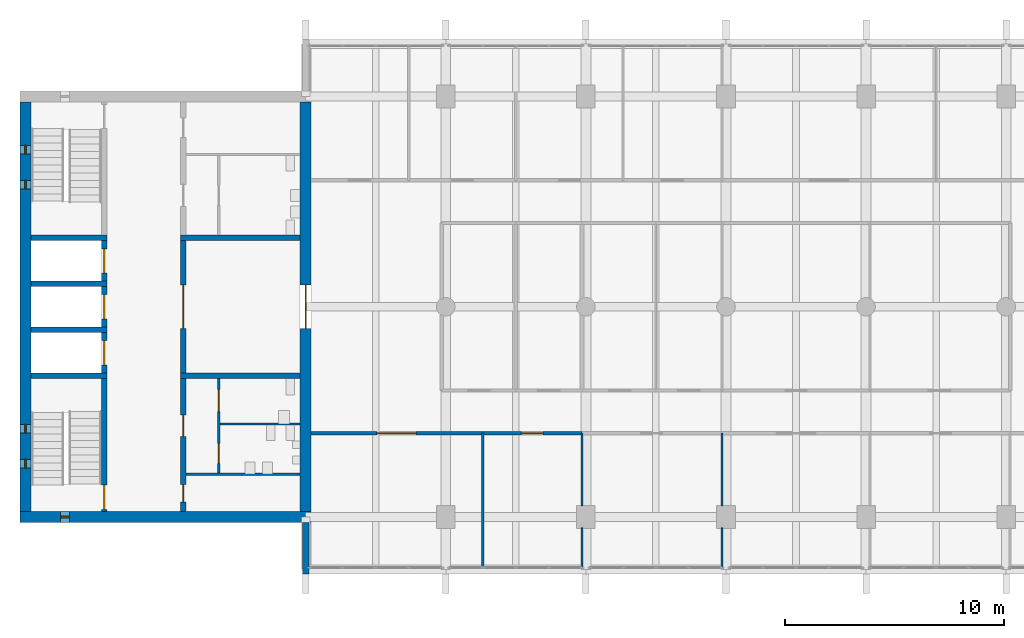
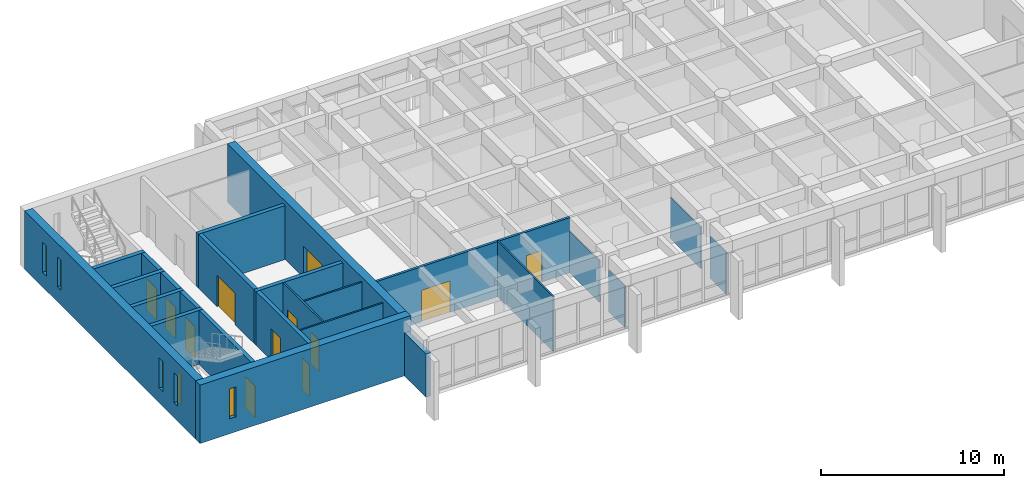
# One storey, part 9 of 15: 26 walls, 12 doors, 5 windows, 17 openings.
"""IFC4 building model written with IfcOpenShell, lengths in metres."""

from ifc_helpers import new_model, si_unit, direction, frame, frame_2d, origin, place, context, subcontext, project, spatial, rectangle, extrude, material, layer, layer_set, type_object, element, fill, save


model = new_model("IFC4")

# Units and contexts
model_context = context("Model", 3, precision=1e-05, world=origin(), true_north=direction((0.0, 1.0)))
body_context = subcontext(model_context, "Body", "Model", "MODEL_VIEW")
ifc_project = project(units=[si_unit("LENGTHUNIT", "METRE"), si_unit("AREAUNIT", "SQUARE_METRE"), si_unit("VOLUMEUNIT", "CUBIC_METRE"), si_unit("PLANEANGLEUNIT", "RADIAN"), si_unit("MASSUNIT", "GRAM", prefix="KILO")], contexts=[model_context])

# Site, building, storey
site_placement = place(None, origin())
site = spatial("IfcSite", under=ifc_project, at=site_placement, CompositionType="ELEMENT")
building_placement = place(site_placement, origin())
building = spatial("IfcBuilding", under=site, at=building_placement, Name="Fogon Plaza Fire Station and Headquarters Tower", CompositionType="ELEMENT")
storey_placement = place(building_placement, frame((0.0, 0.0, 52.199951171875)))
storey = spatial("IfcBuildingStorey", under=building, at=storey_placement, Name="L13", CompositionType="ELEMENT", Elevation=52.199951171875)

# Walls
ifc_material_1 = material(Name="Concrete C40", Category="concrete")
ifc_layer_1 = layer(ifc_material_1, 0.25)
ifc_layer_set_1 = layer_set([ifc_layer_1], Name="Concrete C40")
wall_type_1 = type_object("IfcWallType", Name="Core Wall RC 250", PredefinedType="SOLIDWALL", material=ifc_layer_set_1)
for number, where, z_axis, x_axis, name in (
    (1, (13.050048828125, 40.050048828125, 0.0), (0.0, 0.0, 1.0), (1.0, 0.0, 0.0), "Core A shaft wall"),
    (2, (13.050048828125, 42.14990234375, 0.0), (0.0, 0.0, 1.0), (1.0, 0.0, 0.0), "Core A shaft wall"),
    (3, (13.050048828125, 44.25, 0.0), (0.0, 0.0, 1.0), (1.0, 0.0, 0.0), "Core A shaft wall"),
    (4, (13.050048828125, 46.35009765625, 0.0), (0.0, 0.0, 1.0), (1.0, 0.0, 0.0), "Core A shaft wall"),
):
    element("IfcWall", number, at=place(storey_placement, frame(where, z_axis=z_axis, x_axis=x_axis)), inside=storey, type_object=wall_type_1, Name=name, PredefinedType="SOLIDWALL", context=body_context, shape_type="SweptSolid", body=[
        extrude(rectangle(XDim=3.474853515625, YDim=0.25, at=frame_2d((1.7373046875, 0.0))), origin(), (0.0, 0.0, 1.0), 3.60009765625),
    ])

# Wall, opening, door
wall_1_placement = place(storey_placement, frame((16.39990234375, 33.85009765625, 0.0), z_axis=(0.0, 0.0, 1.0), x_axis=(0.0, 1.0, 0.0)))
wall_1 = element("IfcWall", 5, at=wall_1_placement, inside=storey, type_object=wall_type_1, Name="Core A shaft wall", PredefinedType="SOLIDWALL", context=body_context, shape_type="SweptSolid", body=[
    extrude(rectangle(XDim=6.074951171875, YDim=0.25, at=frame_2d((3.03759765625, 0.0))), origin(), (0.0, 0.0, 1.0), 3.60009765625),
])
opening_1_placement = place(wall_1_placement, frame((0.10009765625, 0.0, 0.0)))
opening_1 = element("IfcOpeningElement", 6, at=opening_1_placement, cuts=wall_1, Name="Opening L13-D01", PredefinedType="OPENING", context=body_context, shape_type="SweptSolid", body=[
    extrude(rectangle(XDim=1.10009765625, YDim=2.10009765625, at=frame_2d((0.550048828125, 1.050048828125))), frame((0.0, 0.135009765625, 0.0), z_axis=(0.0, -1.0, 0.0), x_axis=(1.0, 0.0, 0.0)), (0.0, 0.0, 1.0), 0.27001953125),
])
ifc_material_2 = material(Name="Steel Fire Door Leaf", Category="steel")
door_type_1 = type_object("IfcDoorType", Name="Stair Door Single 1100x2100", OperationType="SINGLE_SWING_LEFT", PredefinedType="DOOR", material=ifc_material_2)
door_1_placement = place(opening_1_placement, origin())
door_1 = element("IfcDoor", 7, at=door_1_placement, inside=storey, type_object=door_type_1, Name="Stair door ST1", OperationType="SINGLE_SWING_LEFT", OverallHeight=2.10009765625, OverallWidth=1.10009765625, PredefinedType="DOOR", context=body_context, shape_type="SweptSolid", body=[
    extrude(rectangle(XDim=1.10009765625, YDim=2.10009765625, at=frame_2d((0.550048828125, 1.050048828125))), frame((0.0, 0.02490234375, 0.0), z_axis=(0.0, -1.0, 0.0), x_axis=(1.0, 0.0, 0.0)), (0.0, 0.0, 1.0), 0.050048828125),
])
fill(opening_1, door_1)

wall_2_placement = place(storey_placement, frame((16.39990234375, 40.175048828125, 0.0), z_axis=(0.0, 0.0, 1.0), x_axis=(0.0, 1.0, 0.0)))
wall_2 = element("IfcWall", 8, at=wall_2_placement, inside=storey, type_object=wall_type_1, Name="Core A shaft wall", PredefinedType="SOLIDWALL", context=body_context, shape_type="SweptSolid", body=[
    extrude(rectangle(XDim=1.849853515625, YDim=0.25, at=frame_2d((0.9248046875, 0.0))), origin(), (0.0, 0.0, 1.0), 3.60009765625),
])
opening_2_placement = place(wall_2_placement, frame((0.375, 0.0, 0.0)))
opening_2 = element("IfcOpeningElement", 9, at=opening_2_placement, cuts=wall_2, Name="Opening L13-D03", PredefinedType="OPENING", context=body_context, shape_type="SweptSolid", body=[
    extrude(rectangle(XDim=1.10009765625, YDim=2.10009765625, at=frame_2d((0.550048828125, 1.050048828125))), frame((0.0, 0.135009765625, 0.0), z_axis=(0.0, -1.0, 0.0), x_axis=(1.0, 0.0, 0.0)), (0.0, 0.0, 1.0), 0.27001953125),
])
ifc_material_3 = material(Name="Stainless Steel", Category="steel")
door_type_2 = type_object("IfcDoorType", Name="Lift Landing Door 1100x2100", OperationType="SLIDING_TO_LEFT", PredefinedType="DOOR", material=ifc_material_3)
door_2_placement = place(opening_2_placement, origin())
door_2 = element("IfcDoor", 10, at=door_2_placement, inside=storey, type_object=door_type_2, Name="Lift LP1 landing door", OperationType="SLIDING_TO_LEFT", OverallHeight=2.10009765625, OverallWidth=1.10009765625, PredefinedType="DOOR", context=body_context, shape_type="SweptSolid", body=[
    extrude(rectangle(XDim=1.10009765625, YDim=2.10009765625, at=frame_2d((0.550048828125, 1.050048828125))), frame((0.0, 0.02490234375, 0.0), z_axis=(0.0, -1.0, 0.0), x_axis=(1.0, 0.0, 0.0)), (0.0, 0.0, 1.0), 0.050048828125),
])
fill(opening_2, door_2)

wall_3_placement = place(storey_placement, frame((16.39990234375, 42.27490234375, 0.0), z_axis=(0.0, 0.0, 1.0), x_axis=(0.0, 1.0, 0.0)))
wall_3 = element("IfcWall", 11, at=wall_3_placement, inside=storey, type_object=wall_type_1, Name="Core A shaft wall", PredefinedType="SOLIDWALL", context=body_context, shape_type="SweptSolid", body=[
    extrude(rectangle(XDim=1.85009765625, YDim=0.25, at=frame_2d((0.925048828125, 0.0))), origin(), (0.0, 0.0, 1.0), 3.60009765625),
])
opening_3_placement = place(wall_3_placement, frame((0.375, 0.0, 0.0)))
opening_3 = element("IfcOpeningElement", 12, at=opening_3_placement, cuts=wall_3, Name="Opening L13-D04", PredefinedType="OPENING", context=body_context, shape_type="SweptSolid", body=[
    extrude(rectangle(XDim=1.10009765625, YDim=2.10009765625, at=frame_2d((0.550048828125, 1.050048828125))), frame((0.0, 0.135009765625, 0.0), z_axis=(0.0, -1.0, 0.0), x_axis=(1.0, 0.0, 0.0)), (0.0, 0.0, 1.0), 0.27001953125),
])
door_3_placement = place(opening_3_placement, origin())
door_3 = element("IfcDoor", 13, at=door_3_placement, inside=storey, type_object=door_type_2, Name="Lift LP2 landing door", OperationType="SLIDING_TO_LEFT", OverallHeight=2.10009765625, OverallWidth=1.10009765625, PredefinedType="DOOR", context=body_context, shape_type="SweptSolid", body=[
    extrude(rectangle(XDim=1.10009765625, YDim=2.10009765625, at=frame_2d((0.550048828125, 1.050048828125))), frame((0.0, 0.02490234375, 0.0), z_axis=(0.0, -1.0, 0.0), x_axis=(1.0, 0.0, 0.0)), (0.0, 0.0, 1.0), 0.050048828125),
])
fill(opening_3, door_3)

wall_4_placement = place(storey_placement, frame((16.39990234375, 44.375, 0.0), z_axis=(0.0, 0.0, 1.0), x_axis=(0.0, 1.0, 0.0)))
wall_4 = element("IfcWall", 14, at=wall_4_placement, inside=storey, type_object=wall_type_1, Name="Core A shaft wall", PredefinedType="SOLIDWALL", context=body_context, shape_type="SweptSolid", body=[
    extrude(rectangle(XDim=1.85009765625, YDim=0.25, at=frame_2d((0.925048828125, 0.0))), origin(), (0.0, 0.0, 1.0), 3.60009765625),
])
opening_4_placement = place(wall_4_placement, frame((0.375, 0.0, 0.0)))
opening_4 = element("IfcOpeningElement", 15, at=opening_4_placement, cuts=wall_4, Name="Opening L13-D05", PredefinedType="OPENING", context=body_context, shape_type="SweptSolid", body=[
    extrude(rectangle(XDim=1.10009765625, YDim=2.10009765625, at=frame_2d((0.550048828125, 1.050048828125))), frame((0.0, 0.135009765625, 0.0), z_axis=(0.0, -1.0, 0.0), x_axis=(1.0, 0.0, 0.0)), (0.0, 0.0, 1.0), 0.27001953125),
])
door_4_placement = place(opening_4_placement, origin())
door_4 = element("IfcDoor", 16, at=door_4_placement, inside=storey, type_object=door_type_2, Name="Lift FL1 landing door", OperationType="SLIDING_TO_LEFT", OverallHeight=2.10009765625, OverallWidth=1.10009765625, PredefinedType="DOOR", context=body_context, shape_type="SweptSolid", body=[
    extrude(rectangle(XDim=1.10009765625, YDim=2.10009765625, at=frame_2d((0.550048828125, 1.050048828125))), frame((0.0, 0.02490234375, 0.0), z_axis=(0.0, -1.0, 0.0), x_axis=(1.0, 0.0, 0.0)), (0.0, 0.0, 1.0), 0.050048828125),
])
fill(opening_4, door_4)

# Wall, openings, doors
wall_5_placement = place(storey_placement, frame((20.0, 33.85009765625, 0.0), z_axis=(0.0, 0.0, 1.0), x_axis=(0.0, 1.0, 0.0)))
wall_5 = element("IfcWall", 17, at=wall_5_placement, inside=storey, type_object=wall_type_1, Name="Core A shaft wall", PredefinedType="SOLIDWALL", context=body_context, shape_type="SweptSolid", body=[
    extrude(rectangle(XDim=6.074951171875, YDim=0.25, at=frame_2d((3.03759765625, 0.0))), origin(), (0.0, 0.0, 1.0), 3.60009765625),
])
opening_5_placement = place(wall_5_placement, frame((0.425048828125, 0.0, 0.0)))
opening_5 = element("IfcOpeningElement", 18, at=opening_5_placement, cuts=wall_5, Name="Opening L13-D08", PredefinedType="OPENING", context=body_context, shape_type="SweptSolid", body=[
    extrude(rectangle(XDim=0.800048828125, YDim=2.10009765625, at=frame_2d((0.39990234375, 1.050048828125))), frame((0.0, 0.135009765625, 0.0), z_axis=(0.0, -1.0, 0.0), x_axis=(1.0, 0.0, 0.0)), (0.0, 0.0, 1.0), 0.27001953125),
])
opening_6_placement = place(wall_5_placement, frame((3.41259765625, 0.0, 0.0)))
opening_6 = element("IfcOpeningElement", 19, at=opening_6_placement, cuts=wall_5, Name="Opening L13-D09", PredefinedType="OPENING", context=body_context, shape_type="SweptSolid", body=[
    extrude(rectangle(XDim=1.0, YDim=2.10009765625, at=frame_2d((0.5, 1.050048828125))), frame((0.0, 0.135009765625, 0.0), z_axis=(0.0, -1.0, 0.0), x_axis=(1.0, 0.0, 0.0)), (0.0, 0.0, 1.0), 0.27001953125),
])
ifc_material_4 = material(Name="Timber Door Leaf", Category="wood")
door_type_3 = type_object("IfcDoorType", Name="Cleaner Store Single 800x2100", OperationType="SINGLE_SWING_LEFT", PredefinedType="DOOR", material=ifc_material_4)
door_5_placement = place(opening_5_placement, frame((0.800048828125, 0.0, 0.0), z_axis=(0.0, 0.0, 1.0), x_axis=(-1.0, 0.0, 0.0)))
door_5 = element("IfcDoor", 20, at=door_5_placement, inside=storey, type_object=door_type_3, Name="Cleaner's store A door", OperationType="SINGLE_SWING_LEFT", OverallHeight=2.10009765625, OverallWidth=0.800048828125, PredefinedType="DOOR", context=body_context, shape_type="SweptSolid", body=[
    extrude(rectangle(XDim=0.800048828125, YDim=2.10009765625, at=frame_2d((0.39990234375, 1.050048828125))), frame((0.0, 0.02490234375, 0.0), z_axis=(0.0, -1.0, 0.0), x_axis=(1.0, 0.0, 0.0)), (0.0, 0.0, 1.0), 0.050048828125),
])
fill(opening_5, door_5)
ifc_material_5 = material(Name="Timber fire door", Category="wood")
door_type_4 = type_object("IfcDoorType", Name="WC Lobby Single 1000x2100", OperationType="SINGLE_SWING_LEFT", PredefinedType="DOOR", material=ifc_material_5)
door_6_placement = place(opening_6_placement, frame((1.0, 0.0, 0.0), z_axis=(0.0, 0.0, 1.0), x_axis=(-1.0, 0.0, 0.0)))
door_6 = element("IfcDoor", 21, at=door_6_placement, inside=storey, type_object=door_type_4, Name="Men's WC lobby A door", OperationType="SINGLE_SWING_RIGHT", OverallHeight=2.10009765625, OverallWidth=1.0, PredefinedType="DOOR", context=body_context, shape_type="SweptSolid", body=[
    extrude(rectangle(XDim=1.0, YDim=2.10009765625, at=frame_2d((0.5, 1.050048828125))), frame((0.0, 0.02490234375, 0.0), z_axis=(0.0, -1.0, 0.0), x_axis=(1.0, 0.0, 0.0)), (0.0, 0.0, 1.0), 0.050048828125),
])
fill(opening_6, door_6)

# Wall, opening, door
wall_6_placement = place(storey_placement, frame((20.0, 40.175048828125, 0.0), z_axis=(0.0, 0.0, 1.0), x_axis=(0.0, 1.0, 0.0)))
wall_6 = element("IfcWall", 22, at=wall_6_placement, inside=storey, type_object=wall_type_1, Name="Core A shaft wall", PredefinedType="SOLIDWALL", context=body_context, shape_type="SweptSolid", body=[
    extrude(rectangle(XDim=6.050048828125, YDim=0.25, at=frame_2d((3.02490234375, 0.0))), origin(), (0.0, 0.0, 1.0), 3.60009765625),
])
opening_7_placement = place(wall_6_placement, frame((2.02490234375, 0.0, 0.0)))
opening_7 = element("IfcOpeningElement", 23, at=opening_7_placement, cuts=wall_6, Name="Opening L13-D06", PredefinedType="OPENING", context=body_context, shape_type="SweptSolid", body=[
    extrude(rectangle(XDim=2.0, YDim=2.10009765625, at=frame_2d((1.0, 1.050048828125))), frame((0.0, 0.135009765625, 0.0), z_axis=(0.0, -1.0, 0.0), x_axis=(1.0, 0.0, 0.0)), (0.0, 0.0, 1.0), 0.27001953125),
])
ifc_material_6 = material(Name="Steel Fire Door Leaf", Category="steel")
door_type_5 = type_object("IfcDoorType", Name="Vestibule Double 2000x2100", OperationType="DOUBLE_DOOR_SINGLE_SWING", PredefinedType="DOOR", material=ifc_material_6)
door_7_placement = place(opening_7_placement, frame((2.0, 0.0, 0.0), z_axis=(0.0, 0.0, 1.0), x_axis=(-1.0, 0.0, 0.0)))
door_7 = element("IfcDoor", 24, at=door_7_placement, inside=storey, type_object=door_type_5, Name="Vestibule A door", OperationType="DOUBLE_DOOR_SINGLE_SWING", OverallHeight=2.10009765625, OverallWidth=2.0, PredefinedType="DOOR", context=body_context, shape_type="SweptSolid", body=[
    extrude(rectangle(XDim=2.0, YDim=2.10009765625, at=frame_2d((1.0, 1.050048828125))), frame((0.0, 0.02490234375, 0.0), z_axis=(0.0, -1.0, 0.0), x_axis=(1.0, 0.0, 0.0)), (0.0, 0.0, 1.0), 0.050048828125),
])
fill(opening_7, door_7)

# Walls
for number, where, z_axis, x_axis, name in (
    (25, (19.875, 40.050048828125, 0.0), (0.0, 0.0, 1.0), (1.0, 0.0, 0.0), "Core A shaft wall"),
    (26, (19.875, 46.35009765625, 0.0), (0.0, 0.0, 1.0), (1.0, 0.0, 0.0), "Core A shaft wall"),
):
    element("IfcWall", number, at=place(storey_placement, frame(where, z_axis=z_axis, x_axis=x_axis)), inside=storey, type_object=wall_type_1, Name=name, PredefinedType="SOLIDWALL", context=body_context, shape_type="SweptSolid", body=[
        extrude(rectangle(XDim=5.47509765625, YDim=0.25, at=frame_2d((2.737548828125, 0.0))), origin(), (0.0, 0.0, 1.0), 3.60009765625),
    ])
ifc_material_7 = material(Name="Concrete C40", Category="concrete")
ifc_layer_2 = layer(ifc_material_7, 0.300048828125)
ifc_layer_set_2 = layer_set([ifc_layer_2], Name="Concrete C40")
wall_type_2 = type_object("IfcWallType", Name="Fair-faced RC Return Panel 300", PredefinedType="SOLIDWALL", material=ifc_layer_set_2)
wall_7_placement = place(storey_placement, frame((25.60009765625, 31.0, 0.0), z_axis=(0.0, 0.0, 1.0), x_axis=(0.0, 1.0, 0.0)))
element("IfcWall", 27, at=wall_7_placement, inside=storey, type_object=wall_type_2, Name="Bar end return WS L13", PredefinedType="SOLIDWALL", context=body_context, shape_type="SweptSolid", body=[
    extrude(rectangle(XDim=2.35009765625, YDim=0.300048828125, at=frame_2d((1.175048828125, 0.0))), origin(), (0.0, 0.0, 1.0), 2.880126953125),
])
ifc_material_8 = material(Name="Blockwork", Category="masonry")
ifc_layer_3 = layer(ifc_material_8, 0.10009765625)
ifc_layer_set_3 = layer_set([ifc_layer_3], Name="Blockwork")
wall_type_3 = type_object("IfcWallType", Name="Partition Blockwork 100", PredefinedType="PARTITIONING", material=ifc_layer_set_3)
wall_8_placement = place(storey_placement, frame((20.125, 35.550048828125, 0.0), z_axis=(0.0, 0.0, 1.0), x_axis=(1.0, 0.0, 0.0)))
element("IfcWall", 28, at=wall_8_placement, inside=storey, type_object=wall_type_3, Name="Cleaner's store partition", PredefinedType="PARTITIONING", context=body_context, shape_type="SweptSolid", body=[
    extrude(rectangle(XDim=5.22509765625, YDim=0.10009765625, at=frame_2d((2.612548828125, 0.0))), origin(), (0.0, 0.0, 1.0), 3.60009765625),
])

# Wall, openings, doors
wall_9_placement = place(storey_placement, frame((21.625, 35.60009765625, 0.0), z_axis=(0.0, 0.0, 1.0), x_axis=(0.0, 1.0, 0.0)))
wall_9 = element("IfcWall", 29, at=wall_9_placement, inside=storey, type_object=wall_type_3, Name="WC block partition", PredefinedType="PARTITIONING", context=body_context, shape_type="SweptSolid", body=[
    extrude(rectangle(XDim=4.324951171875, YDim=0.10009765625, at=frame_2d((2.16259765625, 0.0))), origin(), (0.0, 0.0, 1.0), 3.60009765625),
])
opening_8_placement = place(wall_9_placement, frame((0.449951171875, 0.0, 0.0)))
opening_8 = element("IfcOpeningElement", 30, at=opening_8_placement, cuts=wall_9, Name="Opening L13-D10", PredefinedType="OPENING", context=body_context, shape_type="SweptSolid", body=[
    extrude(rectangle(XDim=0.89990234375, YDim=2.10009765625, at=frame_2d((0.449951171875, 1.050048828125))), frame((0.0, 0.06005859375, 0.0), z_axis=(0.0, -1.0, 0.0), x_axis=(1.0, 0.0, 0.0)), (0.0, 0.0, 1.0), 0.1201171875),
])
opening_9_placement = place(wall_9_placement, frame((2.8125, 0.0, 0.0)))
opening_9 = element("IfcOpeningElement", 31, at=opening_9_placement, cuts=wall_9, Name="Opening L13-D11", PredefinedType="OPENING", context=body_context, shape_type="SweptSolid", body=[
    extrude(rectangle(XDim=1.0, YDim=2.10009765625, at=frame_2d((0.5, 1.050048828125))), frame((0.0, 0.06005859375, 0.0), z_axis=(0.0, -1.0, 0.0), x_axis=(1.0, 0.0, 0.0)), (0.0, 0.0, 1.0), 0.1201171875),
])
ifc_material_9 = material(Name="Timber Door Leaf", Category="wood")
door_type_6 = type_object("IfcDoorType", Name="Accessible WC Single 1000x2100", OperationType="SINGLE_SWING_LEFT", PredefinedType="DOOR", material=ifc_material_9)
door_8_placement = place(opening_9_placement, frame((1.0, 0.0, 0.0), z_axis=(0.0, 0.0, 1.0), x_axis=(-1.0, 0.0, 0.0)))
door_8 = element("IfcDoor", 32, at=door_8_placement, inside=storey, type_object=door_type_6, Name="Accessible WC A door", OperationType="SINGLE_SWING_RIGHT", OverallHeight=2.10009765625, OverallWidth=1.0, PredefinedType="DOOR", context=body_context, shape_type="SweptSolid", body=[
    extrude(rectangle(XDim=1.0, YDim=2.10009765625, at=frame_2d((0.5, 1.050048828125))), frame((0.0, 0.02490234375, 0.0), z_axis=(0.0, -1.0, 0.0), x_axis=(1.0, 0.0, 0.0)), (0.0, 0.0, 1.0), 0.050048828125),
])
fill(opening_9, door_8)
ifc_material_10 = material(Name="Timber Door Leaf", Category="wood")
door_type_7 = type_object("IfcDoorType", Name="WC Single 900x2100", OperationType="SINGLE_SWING_LEFT", PredefinedType="DOOR", material=ifc_material_10)
door_9_placement = place(opening_8_placement, frame((0.89990234375, 0.0, 0.0), z_axis=(0.0, 0.0, 1.0), x_axis=(-1.0, 0.0, 0.0)))
door_9 = element("IfcDoor", 33, at=door_9_placement, inside=storey, type_object=door_type_7, Name="Men's WC A door", OperationType="SINGLE_SWING_RIGHT", OverallHeight=2.10009765625, OverallWidth=0.89990234375, PredefinedType="DOOR", context=body_context, shape_type="SweptSolid", body=[
    extrude(rectangle(XDim=0.89990234375, YDim=2.10009765625, at=frame_2d((0.449951171875, 1.050048828125))), frame((0.0, 0.02490234375, 0.0), z_axis=(0.0, -1.0, 0.0), x_axis=(1.0, 0.0, 0.0)), (0.0, 0.0, 1.0), 0.050048828125),
])
fill(opening_8, door_9)

# Wall
wall_10_placement = place(storey_placement, frame((21.675048828125, 37.85009765625, 0.0), z_axis=(0.0, 0.0, 1.0), x_axis=(1.0, 0.0, 0.0)))
element("IfcWall", 34, at=wall_10_placement, inside=storey, type_object=wall_type_3, Name="WC block partition", PredefinedType="PARTITIONING", context=body_context, shape_type="SweptSolid", body=[
    extrude(rectangle(XDim=3.675048828125, YDim=0.10009765625, at=frame_2d((1.83740234375, 0.0))), origin(), (0.0, 0.0, 1.0), 3.60009765625),
])

# Wall, opening, window
ifc_material_11 = material(Name="Concrete C40", Category="concrete")
ifc_layer_4 = layer(ifc_material_11, 0.5)
ifc_layer_set_4 = layer_set([ifc_layer_4], Name="Concrete C40")
wall_type_4 = type_object("IfcWallType", Name="Shear wall 500 SW50", PredefinedType="SHEAR", material=ifc_layer_set_4)
wall_11_placement = place(storey_placement, frame((12.550048828125, 33.60009765625, 0.0), z_axis=(0.0, 0.0, 1.0), x_axis=(1.0, 0.0, 0.0)))
wall_11 = element("IfcWall", 35, at=wall_11_placement, inside=storey, type_object=wall_type_4, Name="wall-coreA-S-L13", PredefinedType="SHEAR", context=body_context, shape_type="SweptSolid", body=[
    extrude(rectangle(XDim=13.300048828125, YDim=0.5, at=frame_2d((6.64990234375, 0.0))), origin(), (0.0, 0.0, 1.0), 3.900146484375),
])
opening_10_placement = place(wall_11_placement, frame((1.85009765625, 0.0, 1.0)))
opening_10 = element("IfcOpeningElement", 36, at=opening_10_placement, cuts=wall_11, Name="Opening WS1", PredefinedType="OPENING", context=body_context, shape_type="SweptSolid", body=[
    extrude(rectangle(XDim=0.39990234375, YDim=2.0, at=frame_2d((0.199951171875, 1.0))), frame((0.0, 0.260009765625, 0.0), z_axis=(0.0, -1.0, 0.0), x_axis=(1.0, 0.0, 0.0)), (0.0, 0.0, 1.0), 0.52001953125),
])
ifc_material_12 = material(Name="Aluminium framed double glazing", Category="aluminium")
window_type = type_object("IfcWindowType", Name="Slit Window WS1 400x2000", PartitioningType="SINGLE_PANEL", PredefinedType="WINDOW", material=ifc_material_12)
window_1_placement = place(opening_10_placement, origin())
window_1 = element("IfcWindow", 37, at=window_1_placement, inside=storey, type_object=window_type, Name="Slit window A5 L13", OverallHeight=2.0, OverallWidth=0.39990234375, PartitioningType="SINGLE_PANEL", PredefinedType="WINDOW", context=body_context, shape_type="SweptSolid", body=[
    extrude(rectangle(XDim=0.39990234375, YDim=2.0, at=frame_2d((0.199951171875, 1.0))), frame((0.0, 0.030029296875, 0.0), z_axis=(0.0, -1.0, 0.0), x_axis=(1.0, 0.0, 0.0)), (0.0, 0.0, 1.0), 0.06005859375),
])
fill(opening_10, window_1)

# Wall, opening, door
wall_12_placement = place(storey_placement, frame((25.60009765625, 33.85009765625, 0.0), z_axis=(0.0, 0.0, 1.0), x_axis=(0.0, 1.0, 0.0)))
wall_12 = element("IfcWall", 38, at=wall_12_placement, inside=storey, type_object=wall_type_4, Name="wall-coreA-E-L13", PredefinedType="SHEAR", context=body_context, shape_type="SweptSolid", body=[
    extrude(rectangle(XDim=18.699951171875, YDim=0.5, at=frame_2d((9.35009765625, 0.0))), origin(), (0.0, 0.0, 1.0), 3.900146484375),
])
opening_11_placement = place(wall_12_placement, frame((8.35009765625, 0.0, 0.0)))
opening_11 = element("IfcOpeningElement", 39, at=opening_11_placement, cuts=wall_12, Name="Opening L13-D07", PredefinedType="OPENING", context=body_context, shape_type="SweptSolid", body=[
    extrude(rectangle(XDim=2.0, YDim=2.10009765625, at=frame_2d((1.0, 1.050048828125))), frame((0.0, 0.260009765625, 0.0), z_axis=(0.0, -1.0, 0.0), x_axis=(1.0, 0.0, 0.0)), (0.0, 0.0, 1.0), 0.52001953125),
])
door_10_placement = place(opening_11_placement, origin())
door_10 = element("IfcDoor", 40, at=door_10_placement, inside=storey, type_object=door_type_5, Name="Vestibule A door to the office zone", OperationType="DOUBLE_DOOR_SINGLE_SWING", OverallHeight=2.10009765625, OverallWidth=2.0, PredefinedType="DOOR", context=body_context, shape_type="SweptSolid", body=[
    extrude(rectangle(XDim=2.0, YDim=2.10009765625, at=frame_2d((1.0, 1.050048828125))), frame((0.0, 0.02490234375, 0.0), z_axis=(0.0, -1.0, 0.0), x_axis=(1.0, 0.0, 0.0)), (0.0, 0.0, 1.0), 0.050048828125),
])
fill(opening_11, door_10)

# Wall, openings, windows
wall_13_placement = place(storey_placement, frame((12.800048828125, 33.85009765625, 0.0), z_axis=(0.0, 0.0, 1.0), x_axis=(0.0, 1.0, 0.0)))
wall_13 = element("IfcWall", 41, at=wall_13_placement, inside=storey, type_object=wall_type_4, Name="wall-coreA-W-L13", PredefinedType="SHEAR", context=body_context, shape_type="SweptSolid", body=[
    extrude(rectangle(XDim=18.699951171875, YDim=0.5, at=frame_2d((9.35009765625, 0.0))), origin(), (0.0, 0.0, 1.0), 3.900146484375),
])
opening_12_placement = place(wall_13_placement, frame((1.97509765625, 0.0, 1.0)))
opening_12 = element("IfcOpeningElement", 42, at=opening_12_placement, cuts=wall_13, Name="Opening WS1", PredefinedType="OPENING", context=body_context, shape_type="SweptSolid", body=[
    extrude(rectangle(XDim=0.39990234375, YDim=2.0, at=frame_2d((0.199951171875, 1.0))), frame((0.0, 0.260009765625, 0.0), z_axis=(0.0, -1.0, 0.0), x_axis=(1.0, 0.0, 0.0)), (0.0, 0.0, 1.0), 0.52001953125),
])
opening_13_placement = place(wall_13_placement, frame((3.574951171875, 0.0, 1.0)))
opening_13 = element("IfcOpeningElement", 43, at=opening_13_placement, cuts=wall_13, Name="Opening WS1", PredefinedType="OPENING", context=body_context, shape_type="SweptSolid", body=[
    extrude(rectangle(XDim=0.39990234375, YDim=2.0, at=frame_2d((0.199951171875, 1.0))), frame((0.0, 0.260009765625, 0.0), z_axis=(0.0, -1.0, 0.0), x_axis=(1.0, 0.0, 0.0)), (0.0, 0.0, 1.0), 0.52001953125),
])
opening_14_placement = place(wall_13_placement, frame((14.72509765625, 0.0, 1.0)))
opening_14 = element("IfcOpeningElement", 44, at=opening_14_placement, cuts=wall_13, Name="Opening WS1", PredefinedType="OPENING", context=body_context, shape_type="SweptSolid", body=[
    extrude(rectangle(XDim=0.39990234375, YDim=2.0, at=frame_2d((0.199951171875, 1.0))), frame((0.0, 0.260009765625, 0.0), z_axis=(0.0, -1.0, 0.0), x_axis=(1.0, 0.0, 0.0)), (0.0, 0.0, 1.0), 0.52001953125),
])
opening_15_placement = place(wall_13_placement, frame((16.324951171875, 0.0, 1.0)))
opening_15 = element("IfcOpeningElement", 45, at=opening_15_placement, cuts=wall_13, Name="Opening WS1", PredefinedType="OPENING", context=body_context, shape_type="SweptSolid", body=[
    extrude(rectangle(XDim=0.39990234375, YDim=2.0, at=frame_2d((0.199951171875, 1.0))), frame((0.0, 0.260009765625, 0.0), z_axis=(0.0, -1.0, 0.0), x_axis=(1.0, 0.0, 0.0)), (0.0, 0.0, 1.0), 0.52001953125),
])
window_2_placement = place(opening_12_placement, origin())
window_2 = element("IfcWindow", 46, at=window_2_placement, inside=storey, type_object=window_type, Name="Slit window A1 L13", OverallHeight=2.0, OverallWidth=0.39990234375, PartitioningType="SINGLE_PANEL", PredefinedType="WINDOW", context=body_context, shape_type="SweptSolid", body=[
    extrude(rectangle(XDim=0.39990234375, YDim=2.0, at=frame_2d((0.199951171875, 1.0))), frame((0.0, 0.030029296875, 0.0), z_axis=(0.0, -1.0, 0.0), x_axis=(1.0, 0.0, 0.0)), (0.0, 0.0, 1.0), 0.06005859375),
])
fill(opening_12, window_2)
window_3_placement = place(opening_13_placement, origin())
window_3 = element("IfcWindow", 47, at=window_3_placement, inside=storey, type_object=window_type, Name="Slit window A2 L13", OverallHeight=2.0, OverallWidth=0.39990234375, PartitioningType="SINGLE_PANEL", PredefinedType="WINDOW", context=body_context, shape_type="SweptSolid", body=[
    extrude(rectangle(XDim=0.39990234375, YDim=2.0, at=frame_2d((0.199951171875, 1.0))), frame((0.0, 0.030029296875, 0.0), z_axis=(0.0, -1.0, 0.0), x_axis=(1.0, 0.0, 0.0)), (0.0, 0.0, 1.0), 0.06005859375),
])
fill(opening_13, window_3)
window_4_placement = place(opening_14_placement, origin())
window_4 = element("IfcWindow", 48, at=window_4_placement, inside=storey, type_object=window_type, Name="Slit window A3 L13", OverallHeight=2.0, OverallWidth=0.39990234375, PartitioningType="SINGLE_PANEL", PredefinedType="WINDOW", context=body_context, shape_type="SweptSolid", body=[
    extrude(rectangle(XDim=0.39990234375, YDim=2.0, at=frame_2d((0.199951171875, 1.0))), frame((0.0, 0.030029296875, 0.0), z_axis=(0.0, -1.0, 0.0), x_axis=(1.0, 0.0, 0.0)), (0.0, 0.0, 1.0), 0.06005859375),
])
fill(opening_14, window_4)
window_5_placement = place(opening_15_placement, origin())
window_5 = element("IfcWindow", 49, at=window_5_placement, inside=storey, type_object=window_type, Name="Slit window A4 L13", OverallHeight=2.0, OverallWidth=0.39990234375, PartitioningType="SINGLE_PANEL", PredefinedType="WINDOW", context=body_context, shape_type="SweptSolid", body=[
    extrude(rectangle(XDim=0.39990234375, YDim=2.0, at=frame_2d((0.199951171875, 1.0))), frame((0.0, 0.030029296875, 0.0), z_axis=(0.0, -1.0, 0.0), x_axis=(1.0, 0.0, 0.0)), (0.0, 0.0, 1.0), 0.06005859375),
])
fill(opening_15, window_5)

# Wall, opening, door
ifc_material_13 = material(Name="Gypsum board on steel stud", Category="steel")
ifc_layer_5 = layer(ifc_material_13, 0.14990234375)
ifc_layer_set_5 = layer_set([ifc_layer_5], Name="Gypsum board on steel stud")
wall_type_5 = type_object("IfcWallType", Name="Tower corridor partition 150 EI 60", PredefinedType="PARTITIONING", material=ifc_layer_set_5)
wall_14_placement = place(storey_placement, frame((25.85009765625, 37.425048828125, 0.0), z_axis=(0.0, 0.0, 1.0), x_axis=(1.0, 0.0, 0.0)))
wall_14 = element("IfcWall", 50, at=wall_14_placement, inside=storey, type_object=wall_type_5, Name="part-L13-01", PredefinedType="PARTITIONING", context=body_context, shape_type="SweptSolid", body=[
    extrude(rectangle(XDim=7.83984375, YDim=0.14990234375, at=frame_2d((3.919921875, 0.0))), origin(), (0.0, 0.0, 1.0), 3.679931640625),
])
opening_16_placement = place(wall_14_placement, frame((3.0, 0.0, 0.0)))
opening_16 = element("IfcOpeningElement", 51, at=opening_16_placement, cuts=wall_14, Name="Opening L13-D29", PredefinedType="OPENING", context=body_context, shape_type="SweptSolid", body=[
    extrude(rectangle(XDim=1.800048828125, YDim=2.10009765625, at=frame_2d((0.89990234375, 1.050048828125))), frame((0.0, 0.0849609375, 0.0), z_axis=(0.0, -1.0, 0.0), x_axis=(1.0, 0.0, 0.0)), (0.0, 0.0, 1.0), 0.169921875),
])
ifc_material_14 = material(Name="Timber fire door", Category="wood")
door_type_8 = type_object("IfcDoorType", Name="Tower fire door double 1800 EI 20", OperationType="DOUBLE_DOOR_SINGLE_SWING", PredefinedType="DOOR", material=ifc_material_14)
door_11_placement = place(opening_16_placement, frame((1.800048828125, 0.0, 0.0), z_axis=(0.0, 0.0, 1.0), x_axis=(-1.0, 0.0, 0.0)))
door_11 = element("IfcDoor", 52, at=door_11_placement, inside=storey, type_object=door_type_8, Name="door-L13-01", OperationType="DOUBLE_DOOR_SINGLE_SWING", OverallHeight=2.10009765625, OverallWidth=1.800048828125, PredefinedType="DOOR", context=body_context, shape_type="SweptSolid", body=[
    extrude(rectangle(XDim=1.800048828125, YDim=2.10009765625, at=frame_2d((0.89990234375, 1.050048828125))), frame((0.0, 0.02490234375, 0.0), z_axis=(0.0, -1.0, 0.0), x_axis=(1.0, 0.0, 0.0)), (0.0, 0.0, 1.0), 0.050048828125),
])
fill(opening_16, door_11)

wall_15_placement = place(storey_placement, frame((33.68994140625, 37.425048828125, 0.0), z_axis=(0.0, 0.0, 1.0), x_axis=(1.0, 0.0, 0.0)))
wall_15 = element("IfcWall", 53, at=wall_15_placement, inside=storey, type_object=wall_type_5, Name="part-L13-02", PredefinedType="PARTITIONING", context=body_context, shape_type="SweptSolid", body=[
    extrude(rectangle(XDim=4.530029296875, YDim=0.14990234375, at=frame_2d((2.26513671875, 0.0))), origin(), (0.0, 0.0, 1.0), 3.679931640625),
])
opening_17_placement = place(wall_15_placement, frame((1.760009765625, 0.0, 0.0)))
opening_17 = element("IfcOpeningElement", 54, at=opening_17_placement, cuts=wall_15, Name="Opening L13-D30", PredefinedType="OPENING", context=body_context, shape_type="SweptSolid", body=[
    extrude(rectangle(XDim=1.0, YDim=2.10009765625, at=frame_2d((0.5, 1.050048828125))), frame((0.0, 0.0849609375, 0.0), z_axis=(0.0, -1.0, 0.0), x_axis=(1.0, 0.0, 0.0)), (0.0, 0.0, 1.0), 0.169921875),
])
ifc_material_15 = material(Name="Timber fire door", Category="wood")
door_type_9 = type_object("IfcDoorType", Name="Tower fire door single 1000 EI 20", OperationType="SINGLE_SWING_LEFT", PredefinedType="DOOR", material=ifc_material_15)
door_12_placement = place(opening_17_placement, frame((1.0, 0.0, 0.0), z_axis=(0.0, 0.0, 1.0), x_axis=(-1.0, 0.0, 0.0)))
door_12 = element("IfcDoor", 55, at=door_12_placement, inside=storey, type_object=door_type_9, Name="door-L13-02", OperationType="SINGLE_SWING_LEFT", OverallHeight=2.10009765625, OverallWidth=1.0, PredefinedType="DOOR", context=body_context, shape_type="SweptSolid", body=[
    extrude(rectangle(XDim=1.0, YDim=2.10009765625, at=frame_2d((0.5, 1.050048828125))), frame((0.0, 0.02490234375, 0.0), z_axis=(0.0, -1.0, 0.0), x_axis=(1.0, 0.0, 0.0)), (0.0, 0.0, 1.0), 0.050048828125),
])
fill(opening_17, door_12)

# Walls
ifc_material_16 = material(Name="Glazed aluminium partition", Category="aluminium")
ifc_layer_6 = layer(ifc_material_16, 0.074951171875)
ifc_layer_set_6 = layer_set([ifc_layer_6], Name="Glazed aluminium partition")
wall_type_6 = type_object("IfcWallType", Name="Tower glazed partition 75 Beam Head 900", PredefinedType="PARTITIONING", material=ifc_layer_set_6)
wall_16_placement = place(storey_placement, frame((38.219970703125, 31.300048828125, 0.0), z_axis=(0.0, 0.0, 1.0), x_axis=(0.0, 1.0, 0.0)))
element("IfcWall", 56, at=wall_16_placement, inside=storey, type_object=wall_type_6, Name="part-L13-08", PredefinedType="PARTITIONING", context=body_context, shape_type="SweptSolid", body=[
    extrude(rectangle(XDim=1.794921875, YDim=0.074951171875, at=frame_2d((0.8974609375, 0.0))), origin(), (0.0, 0.0, 1.0), 2.780029296875),
])
wall_17_placement = place(storey_placement, frame((38.219970703125, 34.10498046875, 0.0), z_axis=(0.0, 0.0, 1.0), x_axis=(0.0, 1.0, 0.0)))
element("IfcWall", 57, at=wall_17_placement, inside=storey, type_object=wall_type_6, Name="part-L13-09", PredefinedType="PARTITIONING", context=body_context, shape_type="SweptSolid", body=[
    extrude(rectangle(XDim=3.320068359375, YDim=0.074951171875, at=frame_2d((1.66015625, 0.0))), origin(), (0.0, 0.0, 1.0), 2.780029296875),
])
wall_18_placement = place(storey_placement, frame((44.6201171875, 31.300048828125, 0.0), z_axis=(0.0, 0.0, 1.0), x_axis=(0.0, 1.0, 0.0)))
element("IfcWall", 58, at=wall_18_placement, inside=storey, type_object=wall_type_6, Name="part-L13-10", PredefinedType="PARTITIONING", context=body_context, shape_type="SweptSolid", body=[
    extrude(rectangle(XDim=1.794921875, YDim=0.074951171875, at=frame_2d((0.8974609375, 0.0))), origin(), (0.0, 0.0, 1.0), 2.780029296875),
])
wall_19_placement = place(storey_placement, frame((44.6201171875, 34.10498046875, 0.0), z_axis=(0.0, 0.0, 1.0), x_axis=(0.0, 1.0, 0.0)))
element("IfcWall", 59, at=wall_19_placement, inside=storey, type_object=wall_type_6, Name="part-L13-11", PredefinedType="PARTITIONING", context=body_context, shape_type="SweptSolid", body=[
    extrude(rectangle(XDim=3.320068359375, YDim=0.074951171875, at=frame_2d((1.66015625, 0.0))), origin(), (0.0, 0.0, 1.0), 2.780029296875),
])
ifc_material_17 = material(Name="Gypsum board on steel stud", Category="steel")
ifc_layer_7 = layer(ifc_material_17, 0.10009765625)
ifc_layer_set_7 = layer_set([ifc_layer_7], Name="Gypsum board on steel stud")
wall_type_7 = type_object("IfcWallType", Name="Tower office partition 100", PredefinedType="PARTITIONING", material=ifc_layer_set_7)
wall_20_placement = place(storey_placement, frame((33.68994140625, 31.300048828125, 0.0), z_axis=(0.0, 0.0, 1.0), x_axis=(0.0, 1.0, 0.0)))
element("IfcWall", 60, at=wall_20_placement, inside=storey, type_object=wall_type_7, Name="part-L13-07", PredefinedType="PARTITIONING", context=body_context, shape_type="SweptSolid", body=[
    extrude(rectangle(XDim=6.125, YDim=0.10009765625, at=frame_2d((3.0625, 0.0))), origin(), (0.0, 0.0, 1.0), 3.679931640625),
])

save(model, "model.ifc")
